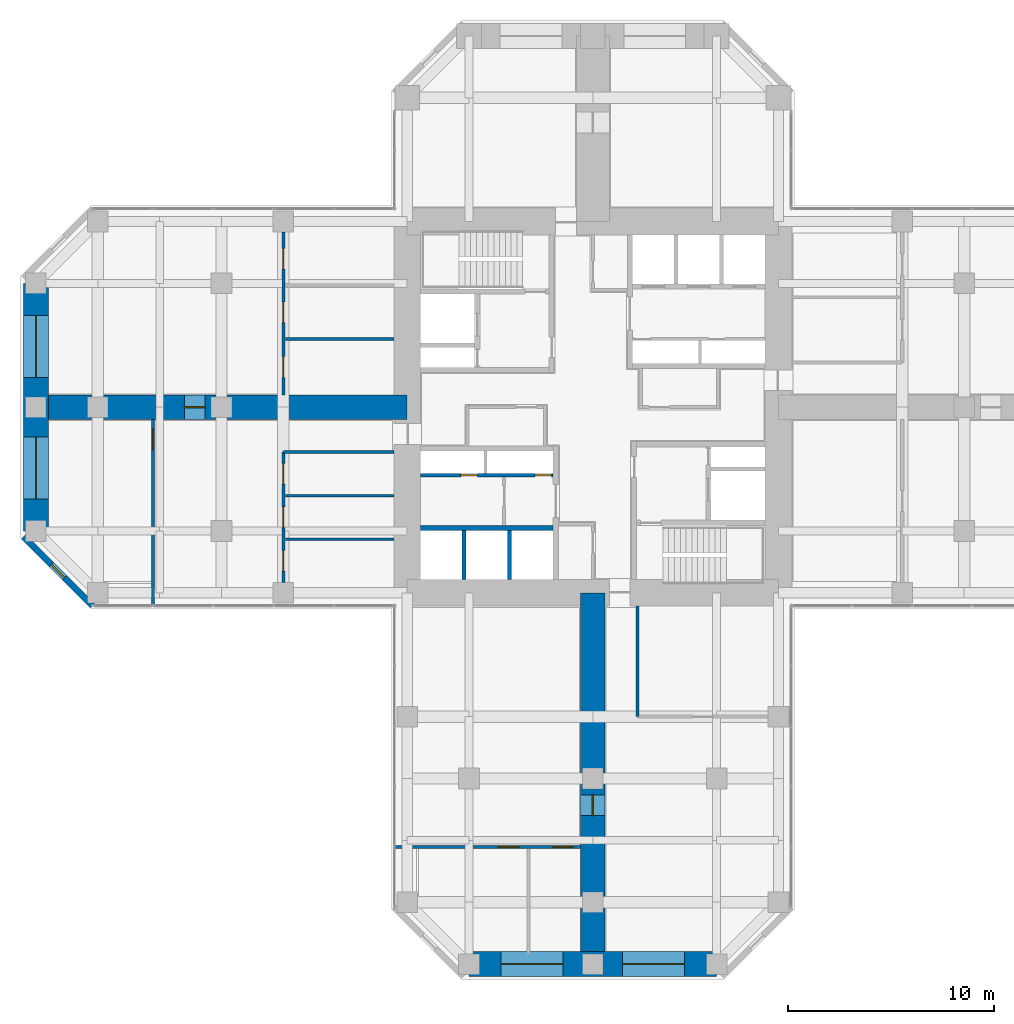
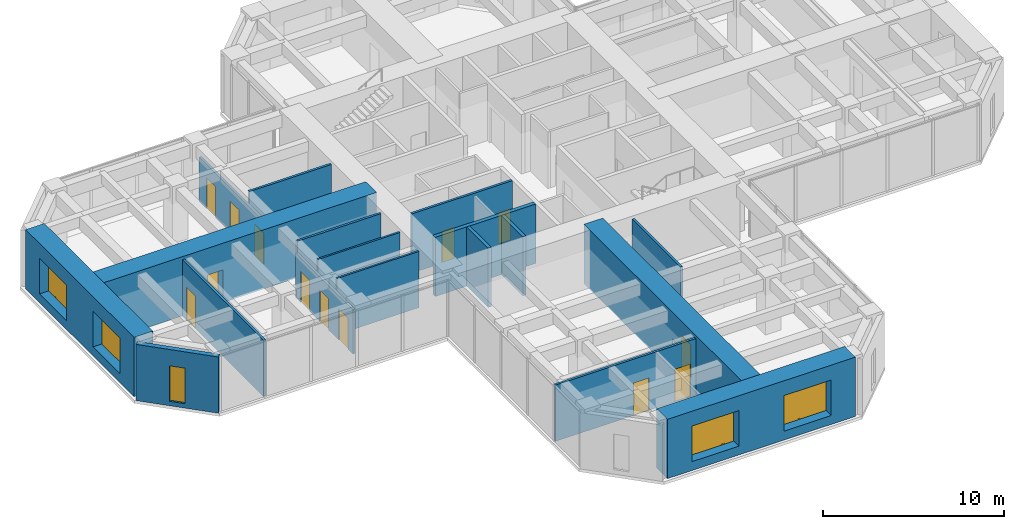
# One storey, part 8 of 12: 18 walls, 13 doors, 5 windows, 18 openings.
"""IFC4 building model written with IfcOpenShell, lengths in metres."""

import ifcopenshell
import ifcopenshell.guid

model = None  # the IFC model being written
_history = None  # IfcOwnerHistory: only IFC2X3 demands one
_inside = {}  # id of a spatial element -> (the spatial element, [elements in it])
_under = {}  # id of a project, library or spatial element -> (it, [spatial elements below it])
_declared = {}  # id of a project -> (the project, [libraries it declares])
_typed = {}  # id of a type object -> (the type object, [elements of that type])
_made_of = {}  # id of a material, layer set ... -> (it, [elements and type objects made of it])


def new_model(schema):
    """Start an empty IFC model of exactly this schema.

    Asked for "IFC4X3", IfcOpenShell would pick the latest addendum, in which some entities
    have other attributes; the version numbers below select the first issue.
    IFC2X3 requires an IfcOwnerHistory on every rooted entity: one is made here for all.
    """
    global model, _history
    if schema == "IFC4X3":
        model = ifcopenshell.file(schema_version=(4, 3, 0, 0))
    else:
        model = ifcopenshell.file(schema=schema)
    _inside.clear()
    _under.clear()
    _declared.clear()
    _typed.clear()
    _made_of.clear()
    _history = None
    if model.schema == "IFC2X3":
        org = make("IfcOrganization", Name="unknown")
        user = make(
            "IfcPersonAndOrganization",
            ThePerson=make("IfcPerson", FamilyName="unknown"),
            TheOrganization=org,
        )
        app = make(
            "IfcApplication",
            ApplicationDeveloper=org,
            Version="unknown",
            ApplicationFullName="unknown",
            ApplicationIdentifier="unknown",
        )
        _history = make(
            "IfcOwnerHistory",
            OwningUser=user,
            OwningApplication=app,
            ChangeAction="ADDED",
            CreationDate=0,
        )
    return model


def make(cls, **values):
    """One entity of the class cls with the attributes given. An attribute that is None is left unset."""
    return model.create_entity(
        cls, **{name: value for name, value in values.items() if value is not None}
    )


def rooted(cls, **values):
    """An entity with a GlobalId (a new one), such as an element, a storey or a relation."""
    return make(cls, GlobalId=ifcopenshell.guid.new(), OwnerHistory=_history, **values)


def si_unit(unit_type, name, prefix=None):
    """IfcSIUnit, for example si_unit("LENGTHUNIT", "METRE", prefix="MILLI")."""
    return make("IfcSIUnit", UnitType=unit_type, Prefix=prefix, Name=name)


def assignment(units):
    """IfcUnitAssignment: the units of a project."""
    return None if units is None else make("IfcUnitAssignment", Units=units)


def point(xyz):
    """IfcCartesianPoint."""
    return None if xyz is None else make("IfcCartesianPoint", Coordinates=xyz)


def direction(xyz):
    """IfcDirection."""
    return None if xyz is None else make("IfcDirection", DirectionRatios=xyz)


def frame(location, z_axis=None, x_axis=None):
    """IfcAxis2Placement3D, a coordinate frame: its origin and axes. An axis left out is left unset."""
    return make(
        "IfcAxis2Placement3D",
        Location=point(location),
        Axis=direction(z_axis),
        RefDirection=direction(x_axis),
    )


def frame_2d(location, x_axis=None):
    """IfcAxis2Placement2D, a coordinate frame in the plane: its origin and x axis."""
    return make(
        "IfcAxis2Placement2D", Location=point(location), RefDirection=direction(x_axis)
    )


def origin():
    """The frame at (0, 0, 0) with its axes left unset."""
    return frame((0.0, 0.0, 0.0))


def place(relative_to, where):
    """IfcLocalPlacement: puts the frame where relative to a parent placement (None: the world)."""
    return make(
        "IfcLocalPlacement", PlacementRelTo=relative_to, RelativePlacement=where
    )


def context(
    kind, dimensions, precision=None, world=None, true_north=None, identifier=None
):
    """IfcGeometricRepresentationContext, for example the 3D "Model" context."""
    return make(
        "IfcGeometricRepresentationContext",
        ContextIdentifier=identifier,
        ContextType=kind,
        CoordinateSpaceDimension=dimensions,
        Precision=precision,
        WorldCoordinateSystem=world,
        TrueNorth=true_north,
    )


def subcontext(parent, identifier, kind, view, scale=None):
    """IfcGeometricRepresentationSubContext, for example "Body" below "Model"."""
    return make(
        "IfcGeometricRepresentationSubContext",
        ContextIdentifier=identifier,
        ContextType=kind,
        ParentContext=parent,
        TargetScale=scale,
        TargetView=view,
    )


def project(units=None, contexts=None):
    """IfcProject with its units and contexts."""
    return rooted(
        "IfcProject",
        Name="project",
        RepresentationContexts=contexts,
        UnitsInContext=assignment(units),
    )


def spatial(cls, under=None, at=None, **own):
    """A site, building, storey or space (cls), placed at a placement, below another one or the project."""
    s = rooted(cls, ObjectPlacement=at, **own)
    if under is not None:
        _under.setdefault(under.id(), (under, []))[1].append(s)
    return s


def profile(cls, at=None, kind="AREA", **sizes):
    """A parametric profile (cls). Its sizes go by their IFC names, for example OverallWidth=200.0."""
    return make(cls, ProfileType=kind, Position=at, **sizes)


def rectangle(**sizes):
    """IfcRectangleProfileDef."""
    return profile("IfcRectangleProfileDef", **sizes)


def hollow_rectangle(**sizes):
    """IfcRectangleHollowProfileDef."""
    return profile("IfcRectangleHollowProfileDef", **sizes)


def extrude(swept, where, along, depth):
    """IfcExtrudedAreaSolid: the profile swept, set in the frame where, extruded along a direction by depth."""
    return make(
        "IfcExtrudedAreaSolid",
        SweptArea=swept,
        Position=where,
        ExtrudedDirection=direction(along),
        Depth=depth,
    )


def shape(context_of_items, identifier, shape_type, items):
    """IfcShapeRepresentation: the items that make up one representation, for example the "Body"."""
    return make(
        "IfcShapeRepresentation",
        ContextOfItems=context_of_items,
        RepresentationIdentifier=identifier,
        RepresentationType=shape_type,
        Items=items,
    )


def material(Name=None, Category=None):
    """IfcMaterial."""
    return make("IfcMaterial", Name=Name, Category=Category)


def layer(
    of_material, thickness, ventilated=None, Name=None, Category=None, Priority=None
):
    """IfcMaterialLayer: one layer of a wall or slab, of a material (None: an air gap)."""
    return make(
        "IfcMaterialLayer",
        Material=of_material,
        LayerThickness=thickness,
        IsVentilated=ventilated,
        Name=Name,
        Category=Category,
        Priority=Priority,
    )


def layer_set(layers, Name=None):
    """IfcMaterialLayerSet."""
    return make("IfcMaterialLayerSet", MaterialLayers=layers, LayerSetName=Name)


def constituent(of_material, Name=None, Category=None, fraction=None):
    """IfcMaterialConstituent: one of the materials an element consists of."""
    return make(
        "IfcMaterialConstituent",
        Name=Name,
        Material=of_material,
        Fraction=fraction,
        Category=Category,
    )


def constituent_set(constituents=None, Name=None):
    """IfcMaterialConstituentSet."""
    return make(
        "IfcMaterialConstituentSet", Name=Name, MaterialConstituents=constituents
    )


def made_of(thing, what):
    """Note that an element or type object is made of a material, layer set ...; save() writes the relation."""
    if what is not None:
        _made_of.setdefault(what.id(), (what, []))[1].append(thing)
    return thing


def type_object(cls, material=None, **own):
    """A type object (cls), such as IfcWallType, which elements share."""
    return made_of(rooted(cls, **own), material)


def element(
    cls,
    number,
    at=None,
    inside=None,
    cuts=None,
    type_object=None,
    material=None,
    context=None,
    identifier="Body",
    shape_type=None,
    held_by="IfcProductDefinitionShape",
    body=None,
    shapes=None,
    **own,
):
    """One element of the class cls, such as IfcWall. Its Tag is "e" and its number.

    at: its placement. inside: the storey or other place that contains it. cuts: it is an
    opening in that element (IfcRelVoidsElement). A single representation is given by context,
    identifier, shape_type and body (its items); several are given by shapes. held_by: the class
    of the entity that holds the representations. save() writes the other relations.
    """
    e = rooted(cls, Tag="e%d" % number, ObjectPlacement=at, **own)
    if body is not None:
        shapes = [shape(context, identifier, shape_type, body)]
    if shapes is not None:
        e.Representation = make(held_by, Representations=shapes)
    if inside is not None:
        _inside.setdefault(inside.id(), (inside, []))[1].append(e)
    if cuts is not None:
        rooted(
            "IfcRelVoidsElement", RelatingBuildingElement=cuts, RelatedOpeningElement=e
        )
    if type_object is not None:
        _typed.setdefault(type_object.id(), (type_object, []))[1].append(e)
    return made_of(e, material)


def fill(opening, filler):
    """IfcRelFillsElement: the door or window that sits in an opening."""
    return rooted(
        "IfcRelFillsElement",
        RelatingOpeningElement=opening,
        RelatedBuildingElement=filler,
    )


def aggregate(whole, parts):
    """IfcRelAggregates: a whole, such as a stair, and the parts it consists of."""
    return rooted("IfcRelAggregates", RelatingObject=whole, RelatedObjects=parts)


def save(model, path):
    """Write the relations noted so far, then the file.

    IfcRelAggregates (storeys below a building ...), IfcRelContainedInSpatialStructure (elements
    in a storey), IfcRelDefinesByType, IfcRelAssociatesMaterial and IfcRelDeclares: one each for
    every whole, place, type object, material and project.
    """
    for whole, parts in _under.values():
        aggregate(whole, parts)
    for where, things in _inside.values():
        rooted(
            "IfcRelContainedInSpatialStructure",
            RelatedElements=things,
            RelatingStructure=where,
        )
    for kind, things in _typed.values():
        rooted("IfcRelDefinesByType", RelatedObjects=things, RelatingType=kind)
    for what, things in _made_of.values():
        rooted("IfcRelAssociatesMaterial", RelatedObjects=things, RelatingMaterial=what)
    for by, libraries in _declared.values():
        rooted("IfcRelDeclares", RelatingContext=by, RelatedDefinitions=libraries)
    model.write(path)


model = new_model("IFC4")

# Units and contexts
model_context = context("Model", 3, precision=1e-05, world=origin(), true_north=direction((0.0, 1.0)))
body_context = subcontext(model_context, "Body", "Model", "MODEL_VIEW")
ifc_project = project(units=[si_unit("LENGTHUNIT", "METRE"), si_unit("AREAUNIT", "SQUARE_METRE"), si_unit("VOLUMEUNIT", "CUBIC_METRE"), si_unit("PLANEANGLEUNIT", "RADIAN"), si_unit("MASSUNIT", "GRAM", prefix="KILO")], contexts=[model_context])

# Site, building, storey
site_placement = place(None, origin())
site = spatial("IfcSite", under=ifc_project, at=site_placement, CompositionType="ELEMENT")
building_placement = place(site_placement, origin())
building = spatial("IfcBuilding", under=site, at=building_placement, Name="Torre Cruceta", CompositionType="ELEMENT")
storey_placement = place(building_placement, frame((0.0, 0.0, 108.5)))
storey = spatial("IfcBuildingStorey", under=building, at=storey_placement, Name="L26", CompositionType="ELEMENT", Elevation=108.5)

# Wall
ifc_material_1 = material(Name="Concrete G60 (fck 60 MPa)", Category="concrete")
ifc_layer_1 = layer(ifc_material_1, 0.25)
ifc_layer_set_1 = layer_set([ifc_layer_1], Name="Concrete G60 (fck 60 MPa)")
wall_type_1 = type_object("IfcWallType", Name="CORE INNER WALL 250 G60", PredefinedType="SHEAR", material=ifc_layer_set_1)
wall_1_placement = place(storey_placement, frame((-1.925048828125, -5.85009765625, 0.0), z_axis=(0.0, 0.0, 1.0), x_axis=(-1.0, 0.0, 0.0)))
element("IfcWall", 1, at=wall_1_placement, inside=storey, type_object=wall_type_1, Name="CW4 L26 SW-LV", PredefinedType="SHEAR", context=body_context, shape_type="SweptSolid", body=[
    extrude(rectangle(XDim=6.425048828125, YDim=0.25, at=frame_2d((3.21240234375, 0.0))), origin(), (0.0, 0.0, 1.0), 4.0),
])

# Wall, opening, window
ifc_material_2 = material(Name="Concrete G30 (fck 30 MPa)", Category="concrete")
ifc_layer_2 = layer(ifc_material_2, 0.300048828125)
ifc_layer_set_2 = layer_set([ifc_layer_2], Name="Concrete G30 (fck 30 MPa)")
wall_type_2 = type_object("IfcWallType", Name="EXPOSED CONCRETE FACADE WALL 300", PredefinedType="SOLIDWALL", material=ifc_layer_set_2)
wall_2_placement = place(storey_placement, frame((-27.60009765625, -6.27685546875, 0.0), z_axis=(0.0, 0.0, 1.0), x_axis=(0.707106781187, -0.707106781187, 0.0)))
wall_2 = element("IfcWall", 2, at=wall_2_placement, inside=storey, type_object=wall_type_2, Name="EW1 facade wall L26 W chamfer 13", PredefinedType="SOLIDWALL", context=body_context, shape_type="SweptSolid", body=[
    extrude(rectangle(XDim=4.72802734375, YDim=0.300048828125, at=frame_2d((2.364013671875, 0.0))), origin(), (0.0, 0.0, 1.0), 3.800048828125),
])
opening_1_placement = place(wall_2_placement, frame((1.9140625, 0.0, 0.300048828125)))
opening_1 = element("IfcOpeningElement", 3, at=opening_1_placement, cuts=wall_2, Name="Opening WN5", PredefinedType="OPENING", context=body_context, shape_type="SweptSolid", body=[
    extrude(rectangle(XDim=0.89990234375, YDim=2.39990234375, at=frame_2d((0.449951171875, 1.199951171875))), frame((0.0, 0.159912109375, 0.0), z_axis=(0.0, -1.0, 0.0), x_axis=(1.0, 0.0, 0.0)), (0.0, 0.0, 1.0), 0.320068359375),
])
ifc_material_3 = material(Name="Aluminium window frame", Category="aluminium")
ifc_constituent_1 = constituent(ifc_material_3, Name="Frame")
ifc_material_4 = material(Name="Laminated insulating glass unit, low-iron clear", Category="glass")
ifc_constituent_2 = constituent(ifc_material_4, Name="Glazing")
ifc_constituent_set_1 = constituent_set(constituents=[ifc_constituent_1, ifc_constituent_2], Name="Aluminium window")
window_type_1 = type_object("IfcWindowType", Name="CHAMFER SLOT WINDOW 900X2400", PartitioningType="SINGLE_PANEL", PredefinedType="WINDOW", material=ifc_constituent_set_1)
window_1_placement = place(opening_1_placement, origin())
window_1 = element("IfcWindow", 4, at=window_1_placement, inside=storey, type_object=window_type_1, Name="WN5 L26 W 1", OverallHeight=2.39990234375, OverallWidth=0.89990234375, PartitioningType="SINGLE_PANEL", PredefinedType="WINDOW", context=body_context, shape_type="SweptSolid", body=[
    extrude(hollow_rectangle(XDim=0.89990234375, YDim=2.39990234375, WallThickness=0.06005859375, at=frame_2d((0.449951171875, 1.199951171875))), frame((0.0, 0.030029296875, 0.0), z_axis=(0.0, -1.0, 0.0), x_axis=(1.0, 0.0, 0.0)), (0.0, 0.0, 1.0), 0.06005859375),
    extrude(rectangle(XDim=0.77880859375, YDim=2.27880859375, at=frame_2d((0.449951171875, 1.199951171875))), frame((0.0, 0.030029296875, 0.0), z_axis=(0.0, -1.0, 0.0), x_axis=(1.0, 0.0, 0.0)), (0.0, 0.0, 1.0), 0.06005859375),
])
fill(opening_1, window_1)

# Walls
ifc_material_5 = material(Name="Concrete G35 (fck 35 MPa)", Category="concrete")
ifc_layer_3 = layer(ifc_material_5, 0.199951171875)
ifc_layer_set_3 = layer_set([ifc_layer_3], Name="Concrete G35 (fck 35 MPa)")
wall_type_3 = type_object("IfcWallType", Name="LIFT SHAFT WALL 200", PredefinedType="PARTITIONING", material=ifc_layer_set_3)
for number, where, z_axis, x_axis, name in (
    (5, (-4.033447265625, -5.97509765625, 0.0), (0.0, 0.0, 1.0), (0.0, -1.0, 0.0), "SW1 L26 SW-LS1"),
    (6, (-6.24169921875, -5.97509765625, 0.0), (0.0, 0.0, 1.0), (0.0, -1.0, 0.0), "SW1 L26 SW-LS2"),
):
    element("IfcWall", number, at=place(storey_placement, frame(where, z_axis=z_axis, x_axis=x_axis)), inside=storey, type_object=wall_type_3, Name=name, PredefinedType="PARTITIONING", context=body_context, shape_type="SweptSolid", body=[
        extrude(rectangle(XDim=2.375, YDim=0.199951171875, at=frame_2d((1.1875, 0.0))), origin(), (0.0, 0.0, 1.0), 4.0),
    ])

# Wall, openings, windows
ifc_material_6 = material(Name="Concrete G60 (fck 60 MPa)", Category="concrete")
ifc_layer_4 = layer(ifc_material_6, 1.199951171875)
ifc_layer_set_4 = layer_set([ifc_layer_4], Name="Concrete G60 (fck 60 MPa)")
wall_type_4 = type_object("IfcWallType", Name="NOSE WALL 1200 G60", PredefinedType="SHEAR", material=ifc_layer_set_4)
wall_3_placement = place(storey_placement, frame((-6.0, -27.0, 0.0), z_axis=(0.0, 0.0, 1.0), x_axis=(1.0, 0.0, 0.0)))
wall_3 = element("IfcWall", 7, at=wall_3_placement, inside=storey, type_object=wall_type_4, Name="NW1 nose wall L26 S", PredefinedType="SHEAR", context=body_context, shape_type="SweptSolid", body=[
    extrude(rectangle(XDim=12.0, YDim=1.199951171875, at=frame_2d((6.0, 0.0))), origin(), (0.0, 0.0, 1.0), 4.0),
])
opening_2_placement = place(wall_3_placement, frame((1.550048828125, 0.0, 0.60009765625)))
opening_2 = element("IfcOpeningElement", 8, at=opening_2_placement, cuts=wall_3, Name="Opening WN6", PredefinedType="OPENING", context=body_context, shape_type="SweptSolid", body=[
    extrude(rectangle(XDim=3.0, YDim=2.39990234375, at=frame_2d((1.5, 1.199951171875))), frame((0.0, 0.60986328125, 0.0), z_axis=(0.0, -1.0, 0.0), x_axis=(1.0, 0.0, 0.0)), (0.0, 0.0, 1.0), 1.219970703125),
])
opening_3_placement = place(wall_3_placement, frame((7.449951171875, 0.0, 0.60009765625)))
opening_3 = element("IfcOpeningElement", 9, at=opening_3_placement, cuts=wall_3, Name="Opening WN6", PredefinedType="OPENING", context=body_context, shape_type="SweptSolid", body=[
    extrude(rectangle(XDim=3.0, YDim=2.39990234375, at=frame_2d((1.5, 1.199951171875))), frame((0.0, 0.60986328125, 0.0), z_axis=(0.0, -1.0, 0.0), x_axis=(1.0, 0.0, 0.0)), (0.0, 0.0, 1.0), 1.219970703125),
])
ifc_material_7 = material(Name="Aluminium window frame", Category="aluminium")
ifc_constituent_3 = constituent(ifc_material_7, Name="Frame")
ifc_material_8 = material(Name="Laminated insulating glass unit, low-iron clear", Category="glass")
ifc_constituent_4 = constituent(ifc_material_8, Name="Glazing")
ifc_constituent_set_2 = constituent_set(constituents=[ifc_constituent_3, ifc_constituent_4], Name="Aluminium window")
window_type_2 = type_object("IfcWindowType", Name="NOSE WALL WINDOW 3000X2400", PartitioningType="SINGLE_PANEL", PredefinedType="WINDOW", material=ifc_constituent_set_2)
window_2_placement = place(opening_2_placement, origin())
window_2 = element("IfcWindow", 10, at=window_2_placement, inside=storey, type_object=window_type_2, Name="WN6 L26 S 1", OverallHeight=2.39990234375, OverallWidth=3.0, PartitioningType="SINGLE_PANEL", PredefinedType="WINDOW", context=body_context, shape_type="SweptSolid", body=[
    extrude(hollow_rectangle(XDim=3.0, YDim=2.39990234375, WallThickness=0.06005859375, at=frame_2d((1.5, 1.199951171875))), frame((0.0, 0.030029296875, 0.0), z_axis=(0.0, -1.0, 0.0), x_axis=(1.0, 0.0, 0.0)), (0.0, 0.0, 1.0), 0.06005859375),
    extrude(rectangle(XDim=2.87890625, YDim=2.27880859375, at=frame_2d((1.5, 1.199951171875))), frame((0.0, 0.030029296875, 0.0), z_axis=(0.0, -1.0, 0.0), x_axis=(1.0, 0.0, 0.0)), (0.0, 0.0, 1.0), 0.06005859375),
])
fill(opening_2, window_2)
window_3_placement = place(opening_3_placement, origin())
window_3 = element("IfcWindow", 11, at=window_3_placement, inside=storey, type_object=window_type_2, Name="WN6 L26 S 2", OverallHeight=2.39990234375, OverallWidth=3.0, PartitioningType="SINGLE_PANEL", PredefinedType="WINDOW", context=body_context, shape_type="SweptSolid", body=[
    extrude(hollow_rectangle(XDim=3.0, YDim=2.39990234375, WallThickness=0.06005859375, at=frame_2d((1.5, 1.199951171875))), frame((0.0, 0.030029296875, 0.0), z_axis=(0.0, -1.0, 0.0), x_axis=(1.0, 0.0, 0.0)), (0.0, 0.0, 1.0), 0.06005859375),
    extrude(rectangle(XDim=2.87890625, YDim=2.27880859375, at=frame_2d((1.5, 1.199951171875))), frame((0.0, 0.030029296875, 0.0), z_axis=(0.0, -1.0, 0.0), x_axis=(1.0, 0.0, 0.0)), (0.0, 0.0, 1.0), 0.06005859375),
])
fill(opening_3, window_3)

wall_4_placement = place(storey_placement, frame((-27.0, 6.0, 0.0), z_axis=(0.0, 0.0, 1.0), x_axis=(0.0, -1.0, 0.0)))
wall_4 = element("IfcWall", 12, at=wall_4_placement, inside=storey, type_object=wall_type_4, Name="NW1 nose wall L26 W", PredefinedType="SHEAR", context=body_context, shape_type="SweptSolid", body=[
    extrude(rectangle(XDim=12.0, YDim=1.199951171875, at=frame_2d((6.0, 0.0))), origin(), (0.0, 0.0, 1.0), 4.0),
])
opening_4_placement = place(wall_4_placement, frame((1.550048828125, 0.0, 0.60009765625)))
opening_4 = element("IfcOpeningElement", 13, at=opening_4_placement, cuts=wall_4, Name="Opening WN6", PredefinedType="OPENING", context=body_context, shape_type="SweptSolid", body=[
    extrude(rectangle(XDim=3.0, YDim=2.39990234375, at=frame_2d((1.5, 1.199951171875))), frame((0.0, 0.60986328125, 0.0), z_axis=(0.0, -1.0, 0.0), x_axis=(1.0, 0.0, 0.0)), (0.0, 0.0, 1.0), 1.219970703125),
])
opening_5_placement = place(wall_4_placement, frame((7.449951171875, 0.0, 0.60009765625)))
opening_5 = element("IfcOpeningElement", 14, at=opening_5_placement, cuts=wall_4, Name="Opening WN6", PredefinedType="OPENING", context=body_context, shape_type="SweptSolid", body=[
    extrude(rectangle(XDim=3.0, YDim=2.39990234375, at=frame_2d((1.5, 1.199951171875))), frame((0.0, 0.60986328125, 0.0), z_axis=(0.0, -1.0, 0.0), x_axis=(1.0, 0.0, 0.0)), (0.0, 0.0, 1.0), 1.219970703125),
])
window_4_placement = place(opening_4_placement, origin())
window_4 = element("IfcWindow", 15, at=window_4_placement, inside=storey, type_object=window_type_2, Name="WN6 L26 W 1", OverallHeight=2.39990234375, OverallWidth=3.0, PartitioningType="SINGLE_PANEL", PredefinedType="WINDOW", context=body_context, shape_type="SweptSolid", body=[
    extrude(hollow_rectangle(XDim=3.0, YDim=2.39990234375, WallThickness=0.06005859375, at=frame_2d((1.5, 1.199951171875))), frame((0.0, 0.030029296875, 0.0), z_axis=(0.0, -1.0, 0.0), x_axis=(1.0, 0.0, 0.0)), (0.0, 0.0, 1.0), 0.06005859375),
    extrude(rectangle(XDim=2.87890625, YDim=2.27880859375, at=frame_2d((1.5, 1.199951171875))), frame((0.0, 0.030029296875, 0.0), z_axis=(0.0, -1.0, 0.0), x_axis=(1.0, 0.0, 0.0)), (0.0, 0.0, 1.0), 0.06005859375),
])
fill(opening_4, window_4)
window_5_placement = place(opening_5_placement, origin())
window_5 = element("IfcWindow", 16, at=window_5_placement, inside=storey, type_object=window_type_2, Name="WN6 L26 W 2", OverallHeight=2.39990234375, OverallWidth=3.0, PartitioningType="SINGLE_PANEL", PredefinedType="WINDOW", context=body_context, shape_type="SweptSolid", body=[
    extrude(hollow_rectangle(XDim=3.0, YDim=2.39990234375, WallThickness=0.06005859375, at=frame_2d((1.5, 1.199951171875))), frame((0.0, 0.030029296875, 0.0), z_axis=(0.0, -1.0, 0.0), x_axis=(1.0, 0.0, 0.0)), (0.0, 0.0, 1.0), 0.06005859375),
    extrude(rectangle(XDim=2.87890625, YDim=2.27880859375, at=frame_2d((1.5, 1.199951171875))), frame((0.0, 0.030029296875, 0.0), z_axis=(0.0, -1.0, 0.0), x_axis=(1.0, 0.0, 0.0)), (0.0, 0.0, 1.0), 0.06005859375),
])
fill(opening_5, window_5)

# Wall
ifc_material_9 = material(Name="Plasterboard on steel studs", Category="steel")
ifc_layer_5 = layer(ifc_material_9, 0.14990234375)
ifc_layer_set_5 = layer_set([ifc_layer_5], Name="Plasterboard on steel studs")
wall_type_5 = type_object("IfcWallType", Name="PARTITION 150", PredefinedType="PARTITIONING", material=ifc_layer_set_5)
wall_5_placement = place(storey_placement, frame((2.175048828125, -9.64990234375, 0.0), z_axis=(0.0, 0.0, 1.0), x_axis=(0.0, -1.0, 0.0)))
element("IfcWall", 17, at=wall_5_placement, inside=storey, type_object=wall_type_5, Name="PT1 L26-S-BSL", PredefinedType="PARTITIONING", context=body_context, shape_type="SweptSolid", body=[
    extrude(rectangle(XDim=5.35009765625, YDim=0.14990234375, at=frame_2d((2.675048828125, 0.0))), origin(), (0.0, 0.0, 1.0), 3.800048828125),
])

# Wall, openings, doors
wall_6_placement = place(storey_placement, frame((-9.580078125, -21.320068359375, 0.0), z_axis=(0.0, 0.0, 1.0), x_axis=(1.0, 0.0, 0.0)))
wall_6 = element("IfcWall", 18, at=wall_6_placement, inside=storey, type_object=wall_type_5, Name="PT1 L26-S-TWR", PredefinedType="PARTITIONING", context=body_context, shape_type="SweptSolid", body=[
    extrude(rectangle(XDim=8.97998046875, YDim=0.14990234375, at=frame_2d((4.489990234375, 0.0))), origin(), (0.0, 0.0, 1.0), 3.800048828125),
])
opening_6_placement = place(wall_6_placement, frame((4.987060546875, 0.0, 0.0)))
opening_6 = element("IfcOpeningElement", 19, at=opening_6_placement, cuts=wall_6, Name="Opening D14", PredefinedType="OPENING", context=body_context, shape_type="SweptSolid", body=[
    extrude(rectangle(XDim=1.0, YDim=2.199951171875, at=frame_2d((0.5, 1.10009765625))), frame((0.0, 0.0849609375, 0.0), z_axis=(0.0, -1.0, 0.0), x_axis=(1.0, 0.0, 0.0)), (0.0, 0.0, 1.0), 0.169921875),
])
opening_7_placement = place(wall_6_placement, frame((7.6298828125, 0.0, 0.0)))
opening_7 = element("IfcOpeningElement", 20, at=opening_7_placement, cuts=wall_6, Name="Opening D14", PredefinedType="OPENING", context=body_context, shape_type="SweptSolid", body=[
    extrude(rectangle(XDim=1.0, YDim=2.199951171875, at=frame_2d((0.5, 1.10009765625))), frame((0.0, 0.0849609375, 0.0), z_axis=(0.0, -1.0, 0.0), x_axis=(1.0, 0.0, 0.0)), (0.0, 0.0, 1.0), 0.169921875),
])
ifc_material_10 = material(Name="Steel DX51D", Category="steel")
ifc_constituent_5 = constituent(ifc_material_10, Name="Leaf and frame")
ifc_material_11 = material(Name="Polyester powder coating", Category="paint")
ifc_constituent_6 = constituent(ifc_material_11, Name="Finish")
ifc_material_12 = material(Name="Fire-resisting glass", Category="glass")
ifc_constituent_7 = constituent(ifc_material_12, Name="Vision panel")
ifc_constituent_set_3 = constituent_set(constituents=[ifc_constituent_5, ifc_constituent_6, ifc_constituent_7], Name="Steel fire door with vision panel")
door_type_1 = type_object("IfcDoorType", Name="FIRE DOOR VISION PANEL 1000X2200", OperationType="SINGLE_SWING_RIGHT", PredefinedType="DOOR", material=ifc_constituent_set_3)
door_1_placement = place(opening_6_placement, frame((1.0, 0.0, 0.0), z_axis=(0.0, 0.0, 1.0), x_axis=(-1.0, 0.0, 0.0)))
door_1 = element("IfcDoor", 21, at=door_1_placement, inside=storey, type_object=door_type_1, Name="D14 L26-S-TWR-D1", OperationType="SINGLE_SWING_LEFT", OverallHeight=2.199951171875, OverallWidth=1.0, PredefinedType="DOOR", context=body_context, shape_type="SweptSolid", body=[
    extrude(rectangle(XDim=1.0, YDim=2.199951171875, at=frame_2d((0.5, 1.10009765625))), frame((0.0, 0.025146484375, 0.0), z_axis=(0.0, -1.0, 0.0), x_axis=(1.0, 0.0, 0.0)), (0.0, 0.0, 1.0), 0.050048828125),
])
fill(opening_6, door_1)
door_2_placement = place(opening_7_placement, frame((1.0, 0.0, 0.0), z_axis=(0.0, 0.0, 1.0), x_axis=(-1.0, 0.0, 0.0)))
door_2 = element("IfcDoor", 22, at=door_2_placement, inside=storey, type_object=door_type_1, Name="D14 L26-S-TWR-D2", OperationType="SINGLE_SWING_LEFT", OverallHeight=2.199951171875, OverallWidth=1.0, PredefinedType="DOOR", context=body_context, shape_type="SweptSolid", body=[
    extrude(rectangle(XDim=1.0, YDim=2.199951171875, at=frame_2d((0.5, 1.10009765625))), frame((0.0, 0.025146484375, 0.0), z_axis=(0.0, -1.0, 0.0), x_axis=(1.0, 0.0, 0.0)), (0.0, 0.0, 1.0), 0.050048828125),
])
fill(opening_7, door_2)

wall_7_placement = place(storey_placement, frame((-15.0, -2.175048828125, 0.0), z_axis=(0.0, 0.0, 1.0), x_axis=(0.0, -1.0, 0.0)))
wall_7 = element("IfcWall", 23, at=wall_7_placement, inside=storey, type_object=wall_type_5, Name="PT1 L26-W-BFL", PredefinedType="PARTITIONING", context=body_context, shape_type="SweptSolid", body=[
    extrude(rectangle(XDim=6.324951171875, YDim=0.14990234375, at=frame_2d((3.16259765625, 0.0))), origin(), (0.0, 0.0, 1.0), 3.0),
])
opening_8_placement = place(wall_7_placement, frame((0.55419921875, 0.0, 0.0)))
opening_8 = element("IfcOpeningElement", 24, at=opening_8_placement, cuts=wall_7, Name="Opening D3", PredefinedType="OPENING", context=body_context, shape_type="SweptSolid", body=[
    extrude(rectangle(XDim=1.0, YDim=2.10009765625, at=frame_2d((0.5, 1.050048828125))), frame((0.0, 0.0849609375, 0.0), z_axis=(0.0, -1.0, 0.0), x_axis=(1.0, 0.0, 0.0)), (0.0, 0.0, 1.0), 0.169921875),
])
opening_9_placement = place(wall_7_placement, frame((2.66259765625, 0.0, 0.0)))
opening_9 = element("IfcOpeningElement", 25, at=opening_9_placement, cuts=wall_7, Name="Opening D3", PredefinedType="OPENING", context=body_context, shape_type="SweptSolid", body=[
    extrude(rectangle(XDim=1.0, YDim=2.10009765625, at=frame_2d((0.5, 1.050048828125))), frame((0.0, 0.0849609375, 0.0), z_axis=(0.0, -1.0, 0.0), x_axis=(1.0, 0.0, 0.0)), (0.0, 0.0, 1.0), 0.169921875),
])
opening_10_placement = place(wall_7_placement, frame((4.770751953125, 0.0, 0.0)))
opening_10 = element("IfcOpeningElement", 26, at=opening_10_placement, cuts=wall_7, Name="Opening D3", PredefinedType="OPENING", context=body_context, shape_type="SweptSolid", body=[
    extrude(rectangle(XDim=1.0, YDim=2.10009765625, at=frame_2d((0.5, 1.050048828125))), frame((0.0, 0.0849609375, 0.0), z_axis=(0.0, -1.0, 0.0), x_axis=(1.0, 0.0, 0.0)), (0.0, 0.0, 1.0), 0.169921875),
])
ifc_material_13 = material(Name="Steel DX51D", Category="steel")
ifc_constituent_8 = constituent(ifc_material_13, Name="Leaf and frame")
ifc_material_14 = material(Name="Polyester powder coating", Category="paint")
ifc_constituent_9 = constituent(ifc_material_14, Name="Finish")
ifc_constituent_set_4 = constituent_set(constituents=[ifc_constituent_8, ifc_constituent_9], Name="Steel fire door")
door_type_2 = type_object("IfcDoorType", Name="FIRE DOOR 1000X2100", OperationType="SINGLE_SWING_LEFT", PredefinedType="DOOR", material=ifc_constituent_set_4)
door_3_placement = place(opening_8_placement, origin())
door_3 = element("IfcDoor", 27, at=door_3_placement, inside=storey, type_object=door_type_2, Name="D3 L26-W-BFL-D1", OperationType="SINGLE_SWING_LEFT", OverallHeight=2.10009765625, OverallWidth=1.0, PredefinedType="DOOR", context=body_context, shape_type="SweptSolid", body=[
    extrude(rectangle(XDim=1.0, YDim=2.10009765625, at=frame_2d((0.5, 1.050048828125))), frame((0.0, 0.02490234375, 0.0), z_axis=(0.0, -1.0, 0.0), x_axis=(1.0, 0.0, 0.0)), (0.0, 0.0, 1.0), 0.050048828125),
])
fill(opening_8, door_3)
door_4_placement = place(opening_9_placement, origin())
door_4 = element("IfcDoor", 28, at=door_4_placement, inside=storey, type_object=door_type_2, Name="D3 L26-W-BFL-D2", OperationType="SINGLE_SWING_LEFT", OverallHeight=2.10009765625, OverallWidth=1.0, PredefinedType="DOOR", context=body_context, shape_type="SweptSolid", body=[
    extrude(rectangle(XDim=1.0, YDim=2.10009765625, at=frame_2d((0.5, 1.050048828125))), frame((0.0, 0.02490234375, 0.0), z_axis=(0.0, -1.0, 0.0), x_axis=(1.0, 0.0, 0.0)), (0.0, 0.0, 1.0), 0.050048828125),
])
fill(opening_9, door_4)
door_5_placement = place(opening_10_placement, origin())
door_5 = element("IfcDoor", 29, at=door_5_placement, inside=storey, type_object=door_type_2, Name="D3 L26-W-BFL-D3", OperationType="SINGLE_SWING_LEFT", OverallHeight=2.10009765625, OverallWidth=1.0, PredefinedType="DOOR", context=body_context, shape_type="SweptSolid", body=[
    extrude(rectangle(XDim=1.0, YDim=2.10009765625, at=frame_2d((0.5, 1.050048828125))), frame((0.0, 0.02490234375, 0.0), z_axis=(0.0, -1.0, 0.0), x_axis=(1.0, 0.0, 0.0)), (0.0, 0.0, 1.0), 0.050048828125),
])
fill(opening_10, door_5)

# Wall
wall_8_placement = place(storey_placement, frame((-9.64990234375, -2.175048828125, 0.0), z_axis=(0.0, 0.0, 1.0), x_axis=(-1.0, 0.0, 0.0)))
element("IfcWall", 30, at=wall_8_placement, inside=storey, type_object=wall_type_5, Name="PT1 L26-W-BSL", PredefinedType="PARTITIONING", context=body_context, shape_type="SweptSolid", body=[
    extrude(rectangle(XDim=5.35009765625, YDim=0.14990234375, at=frame_2d((2.675048828125, 0.0))), origin(), (0.0, 0.0, 1.0), 3.800048828125),
])

# Wall, openings, doors
wall_9_placement = place(storey_placement, frame((-15.0, 8.5, 0.0), z_axis=(0.0, 0.0, 1.0), x_axis=(0.0, -1.0, 0.0)))
wall_9 = element("IfcWall", 31, at=wall_9_placement, inside=storey, type_object=wall_type_5, Name="PT1 L26-W-BFR", PredefinedType="PARTITIONING", context=body_context, shape_type="SweptSolid", body=[
    extrude(rectangle(XDim=7.89990234375, YDim=0.14990234375, at=frame_2d((3.949951171875, 0.0))), origin(), (0.0, 0.0, 1.0), 3.0),
])
opening_11_placement = place(wall_9_placement, frame((0.800048828125, 0.0, 0.0)))
opening_11 = element("IfcOpeningElement", 32, at=opening_11_placement, cuts=wall_9, Name="Opening D3", PredefinedType="OPENING", context=body_context, shape_type="SweptSolid", body=[
    extrude(rectangle(XDim=1.0, YDim=2.10009765625, at=frame_2d((0.5, 1.050048828125))), frame((0.0, 0.0849609375, 0.0), z_axis=(0.0, -1.0, 0.0), x_axis=(1.0, 0.0, 0.0)), (0.0, 0.0, 1.0), 0.169921875),
])
opening_12_placement = place(wall_9_placement, frame((3.39990234375, 0.0, 0.0)))
opening_12 = element("IfcOpeningElement", 33, at=opening_12_placement, cuts=wall_9, Name="Opening D3", PredefinedType="OPENING", context=body_context, shape_type="SweptSolid", body=[
    extrude(rectangle(XDim=1.0, YDim=2.10009765625, at=frame_2d((0.5, 1.050048828125))), frame((0.0, 0.0849609375, 0.0), z_axis=(0.0, -1.0, 0.0), x_axis=(1.0, 0.0, 0.0)), (0.0, 0.0, 1.0), 0.169921875),
])
opening_13_placement = place(wall_9_placement, frame((6.050048828125, 0.0, 0.0)))
opening_13 = element("IfcOpeningElement", 34, at=opening_13_placement, cuts=wall_9, Name="Opening D3", PredefinedType="OPENING", context=body_context, shape_type="SweptSolid", body=[
    extrude(rectangle(XDim=1.0, YDim=2.10009765625, at=frame_2d((0.5, 1.050048828125))), frame((0.0, 0.0849609375, 0.0), z_axis=(0.0, -1.0, 0.0), x_axis=(1.0, 0.0, 0.0)), (0.0, 0.0, 1.0), 0.169921875),
])
door_6_placement = place(opening_11_placement, origin())
door_6 = element("IfcDoor", 35, at=door_6_placement, inside=storey, type_object=door_type_2, Name="D3 L26-W-BFR-D1", OperationType="SINGLE_SWING_RIGHT", OverallHeight=2.10009765625, OverallWidth=1.0, PredefinedType="DOOR", context=body_context, shape_type="SweptSolid", body=[
    extrude(rectangle(XDim=1.0, YDim=2.10009765625, at=frame_2d((0.5, 1.050048828125))), frame((0.0, 0.02490234375, 0.0), z_axis=(0.0, -1.0, 0.0), x_axis=(1.0, 0.0, 0.0)), (0.0, 0.0, 1.0), 0.050048828125),
])
fill(opening_11, door_6)
door_7_placement = place(opening_12_placement, origin())
door_7 = element("IfcDoor", 36, at=door_7_placement, inside=storey, type_object=door_type_2, Name="D3 L26-W-BFR-D2", OperationType="SINGLE_SWING_LEFT", OverallHeight=2.10009765625, OverallWidth=1.0, PredefinedType="DOOR", context=body_context, shape_type="SweptSolid", body=[
    extrude(rectangle(XDim=1.0, YDim=2.10009765625, at=frame_2d((0.5, 1.050048828125))), frame((0.0, 0.02490234375, 0.0), z_axis=(0.0, -1.0, 0.0), x_axis=(1.0, 0.0, 0.0)), (0.0, 0.0, 1.0), 0.050048828125),
])
fill(opening_12, door_7)
door_8_placement = place(opening_13_placement, origin())
door_8 = element("IfcDoor", 37, at=door_8_placement, inside=storey, type_object=door_type_2, Name="D3 L26-W-BFR-D3", OperationType="SINGLE_SWING_LEFT", OverallHeight=2.10009765625, OverallWidth=1.0, PredefinedType="DOOR", context=body_context, shape_type="SweptSolid", body=[
    extrude(rectangle(XDim=1.0, YDim=2.10009765625, at=frame_2d((0.5, 1.050048828125))), frame((0.0, 0.02490234375, 0.0), z_axis=(0.0, -1.0, 0.0), x_axis=(1.0, 0.0, 0.0)), (0.0, 0.0, 1.0), 0.050048828125),
])
fill(opening_13, door_8)

# Wall
wall_10_placement = place(storey_placement, frame((-9.64990234375, 3.300048828125, 0.0), z_axis=(0.0, 0.0, 1.0), x_axis=(-1.0, 0.0, 0.0)))
element("IfcWall", 38, at=wall_10_placement, inside=storey, type_object=wall_type_5, Name="PT1 L26-W-BDR1", PredefinedType="PARTITIONING", context=body_context, shape_type="SweptSolid", body=[
    extrude(rectangle(XDim=5.25, YDim=0.14990234375, at=frame_2d((2.625, 0.0))), origin(), (0.0, 0.0, 1.0), 3.800048828125),
])

# Wall, opening, door
wall_11_placement = place(storey_placement, frame((-21.320068359375, -0.60009765625, 0.0), z_axis=(0.0, 0.0, 1.0), x_axis=(0.0, -1.0, 0.0)))
wall_11 = element("IfcWall", 39, at=wall_11_placement, inside=storey, type_object=wall_type_5, Name="PT1 L26-W-TWL", PredefinedType="PARTITIONING", context=body_context, shape_type="SweptSolid", body=[
    extrude(rectangle(XDim=8.97998046875, YDim=0.14990234375, at=frame_2d((4.489990234375, 0.0))), origin(), (0.0, 0.0, 1.0), 3.800048828125),
])
opening_14_placement = place(wall_11_placement, frame((0.449951171875, 0.0, 0.0)))
opening_14 = element("IfcOpeningElement", 40, at=opening_14_placement, cuts=wall_11, Name="Opening D14", PredefinedType="OPENING", context=body_context, shape_type="SweptSolid", body=[
    extrude(rectangle(XDim=1.0, YDim=2.199951171875, at=frame_2d((0.5, 1.10009765625))), frame((0.0, 0.0849609375, 0.0), z_axis=(0.0, -1.0, 0.0), x_axis=(1.0, 0.0, 0.0)), (0.0, 0.0, 1.0), 0.169921875),
])
door_9_placement = place(opening_14_placement, frame((1.0, 0.0, 0.0), z_axis=(0.0, 0.0, 1.0), x_axis=(-1.0, 0.0, 0.0)))
door_9 = element("IfcDoor", 41, at=door_9_placement, inside=storey, type_object=door_type_1, Name="D14 L26-W-TWL-D1", OperationType="SINGLE_SWING_RIGHT", OverallHeight=2.199951171875, OverallWidth=1.0, PredefinedType="DOOR", context=body_context, shape_type="SweptSolid", body=[
    extrude(rectangle(XDim=1.0, YDim=2.199951171875, at=frame_2d((0.5, 1.10009765625))), frame((0.0, 0.025146484375, 0.0), z_axis=(0.0, -1.0, 0.0), x_axis=(1.0, 0.0, 0.0)), (0.0, 0.0, 1.0), 0.050048828125),
])
fill(opening_14, door_9)

# Wall, openings, doors
ifc_material_15 = material(Name="Concrete block masonry", Category="masonry")
ifc_layer_6 = layer(ifc_material_15, 0.14990234375)
ifc_layer_set_6 = layer_set([ifc_layer_6], Name="Concrete block masonry")
wall_type_6 = type_object("IfcWallType", Name="RISER WALL 150", PredefinedType="PARTITIONING", material=ifc_layer_set_6)
wall_12_placement = place(storey_placement, frame((-1.925048828125, -3.300048828125, 0.0), z_axis=(0.0, 0.0, 1.0), x_axis=(-1.0, 0.0, 0.0)))
wall_12 = element("IfcWall", 42, at=wall_12_placement, inside=storey, type_object=wall_type_6, Name="SW7 L26 SW-RV", PredefinedType="PARTITIONING", context=body_context, shape_type="SweptSolid", body=[
    extrude(rectangle(XDim=6.425048828125, YDim=0.14990234375, at=frame_2d((3.21240234375, 0.0))), origin(), (0.0, 0.0, 1.0), 4.0),
])
opening_15_placement = place(wall_12_placement, frame((0.074951171875, 0.0, 0.0)))
opening_15 = element("IfcOpeningElement", 43, at=opening_15_placement, cuts=wall_12, Name="Opening D5", PredefinedType="OPENING", context=body_context, shape_type="SweptSolid", body=[
    extrude(rectangle(XDim=0.800048828125, YDim=2.10009765625, at=frame_2d((0.39990234375, 1.050048828125))), frame((0.0, 0.0849609375, 0.0), z_axis=(0.0, -1.0, 0.0), x_axis=(1.0, 0.0, 0.0)), (0.0, 0.0, 1.0), 0.169921875),
])
opening_16_placement = place(wall_12_placement, frame((3.675048828125, 0.0, 0.0)))
opening_16 = element("IfcOpeningElement", 44, at=opening_16_placement, cuts=wall_12, Name="Opening D5", PredefinedType="OPENING", context=body_context, shape_type="SweptSolid", body=[
    extrude(rectangle(XDim=0.800048828125, YDim=2.10009765625, at=frame_2d((0.39990234375, 1.050048828125))), frame((0.0, 0.0849609375, 0.0), z_axis=(0.0, -1.0, 0.0), x_axis=(1.0, 0.0, 0.0)), (0.0, 0.0, 1.0), 0.169921875),
])
ifc_material_16 = material(Name="Steel DX51D", Category="steel")
ifc_constituent_10 = constituent(ifc_material_16, Name="Leaf and frame")
ifc_material_17 = material(Name="Polyester powder coating", Category="paint")
ifc_constituent_11 = constituent(ifc_material_17, Name="Finish")
ifc_constituent_set_5 = constituent_set(constituents=[ifc_constituent_10, ifc_constituent_11], Name="Steel fire door")
door_type_3 = type_object("IfcDoorType", Name="RISER ACCESS DOOR 800X2100", OperationType="SINGLE_SWING_LEFT", PredefinedType="DOOR", material=ifc_constituent_set_5)
door_10_placement = place(opening_15_placement, frame((0.800048828125, 0.0, 0.0), z_axis=(0.0, 0.0, 1.0), x_axis=(-1.0, 0.0, 0.0)))
door_10 = element("IfcDoor", 45, at=door_10_placement, inside=storey, type_object=door_type_3, Name="D5 L26 SW-RISER1", OperationType="SINGLE_SWING_RIGHT", OverallHeight=2.10009765625, OverallWidth=0.800048828125, PredefinedType="DOOR", context=body_context, shape_type="SweptSolid", body=[
    extrude(rectangle(XDim=0.800048828125, YDim=2.10009765625, at=frame_2d((0.400146484375, 1.050048828125))), frame((0.0, 0.025146484375, 0.0), z_axis=(0.0, -1.0, 0.0), x_axis=(1.0, 0.0, 0.0)), (0.0, 0.0, 1.0), 0.050048828125),
])
fill(opening_15, door_10)
door_11_placement = place(opening_16_placement, frame((0.800048828125, 0.0, 0.0), z_axis=(0.0, 0.0, 1.0), x_axis=(-1.0, 0.0, 0.0)))
door_11 = element("IfcDoor", 46, at=door_11_placement, inside=storey, type_object=door_type_3, Name="D5 L26 SW-RISER2", OperationType="SINGLE_SWING_RIGHT", OverallHeight=2.10009765625, OverallWidth=0.800048828125, PredefinedType="DOOR", context=body_context, shape_type="SweptSolid", body=[
    extrude(rectangle(XDim=0.800048828125, YDim=2.10009765625, at=frame_2d((0.400146484375, 1.050048828125))), frame((0.0, 0.025146484375, 0.0), z_axis=(0.0, -1.0, 0.0), x_axis=(1.0, 0.0, 0.0)), (0.0, 0.0, 1.0), 0.050048828125),
])
fill(opening_16, door_11)

# Wall, opening, door
ifc_material_18 = material(Name="Concrete G60 (fck 60 MPa)", Category="concrete")
ifc_layer_7 = layer(ifc_material_18, 1.199951171875)
ifc_layer_set_7 = layer_set([ifc_layer_7], Name="Concrete G60 (fck 60 MPa)")
wall_type_7 = type_object("IfcWallType", Name="SPINE WALL 1200 G60", PredefinedType="SHEAR", material=ifc_layer_set_7)
wall_13_placement = place(storey_placement, frame((0.0, -9.0, 0.0), z_axis=(0.0, 0.0, 1.0), x_axis=(0.0, -1.0, 0.0)))
wall_13 = element("IfcWall", 47, at=wall_13_placement, inside=storey, type_object=wall_type_7, Name="SW3 spine wall L26 S", PredefinedType="SHEAR", context=body_context, shape_type="SweptSolid", body=[
    extrude(rectangle(XDim=18.0, YDim=1.199951171875, at=frame_2d((9.0, 0.0))), origin(), (0.0, 0.0, 1.0), 4.0),
])
opening_17_placement = place(wall_13_placement, frame((9.800048828125, 0.0, 0.0)))
opening_17 = element("IfcOpeningElement", 48, at=opening_17_placement, cuts=wall_13, Name="Opening D14", PredefinedType="OPENING", context=body_context, shape_type="SweptSolid", body=[
    extrude(rectangle(XDim=1.0, YDim=2.199951171875, at=frame_2d((0.5, 1.10009765625))), frame((0.0, 0.60986328125, 0.0), z_axis=(0.0, -1.0, 0.0), x_axis=(1.0, 0.0, 0.0)), (0.0, 0.0, 1.0), 1.219970703125),
])
door_12_placement = place(opening_17_placement, frame((1.0, 0.0, 0.0), z_axis=(0.0, 0.0, 1.0), x_axis=(-1.0, 0.0, 0.0)))
door_12 = element("IfcDoor", 49, at=door_12_placement, inside=storey, type_object=door_type_1, Name="D14 L26-S-SP1", OperationType="SINGLE_SWING_LEFT", OverallHeight=2.199951171875, OverallWidth=1.0, PredefinedType="DOOR", context=body_context, shape_type="SweptSolid", body=[
    extrude(rectangle(XDim=1.0, YDim=2.199951171875, at=frame_2d((0.5, 1.10009765625))), frame((0.0, 0.025146484375, 0.0), z_axis=(0.0, -1.0, 0.0), x_axis=(1.0, 0.0, 0.0)), (0.0, 0.0, 1.0), 0.050048828125),
])
fill(opening_17, door_12)

wall_14_placement = place(storey_placement, frame((-9.0, 0.0, 0.0), z_axis=(0.0, 0.0, 1.0), x_axis=(-1.0, 0.0, 0.0)))
wall_14 = element("IfcWall", 50, at=wall_14_placement, inside=storey, type_object=wall_type_7, Name="SW3 spine wall L26 W", PredefinedType="SHEAR", context=body_context, shape_type="SweptSolid", body=[
    extrude(rectangle(XDim=18.0, YDim=1.199951171875, at=frame_2d((9.0, 0.0))), origin(), (0.0, 0.0, 1.0), 4.0),
])
opening_18_placement = place(wall_14_placement, frame((9.800048828125, 0.0, 0.0)))
opening_18 = element("IfcOpeningElement", 51, at=opening_18_placement, cuts=wall_14, Name="Opening D14", PredefinedType="OPENING", context=body_context, shape_type="SweptSolid", body=[
    extrude(rectangle(XDim=1.0, YDim=2.199951171875, at=frame_2d((0.5, 1.10009765625))), frame((0.0, 0.60986328125, 0.0), z_axis=(0.0, -1.0, 0.0), x_axis=(1.0, 0.0, 0.0)), (0.0, 0.0, 1.0), 1.219970703125),
])
door_13_placement = place(opening_18_placement, origin())
door_13 = element("IfcDoor", 52, at=door_13_placement, inside=storey, type_object=door_type_1, Name="D14 L26-W-SP1", OperationType="SINGLE_SWING_RIGHT", OverallHeight=2.199951171875, OverallWidth=1.0, PredefinedType="DOOR", context=body_context, shape_type="SweptSolid", body=[
    extrude(rectangle(XDim=1.0, YDim=2.199951171875, at=frame_2d((0.5, 1.10009765625))), frame((0.0, 0.02490234375, 0.0), z_axis=(0.0, -1.0, 0.0), x_axis=(1.0, 0.0, 0.0)), (0.0, 0.0, 1.0), 0.050048828125),
])
fill(opening_18, door_13)

# Walls
ifc_material_19 = material(Name="Plasterboard on steel studs", Category="steel")
ifc_layer_8 = layer(ifc_material_19, 0.1201171875)
ifc_layer_set_8 = layer_set([ifc_layer_8], Name="Plasterboard on steel studs")
wall_type_8 = type_object("IfcWallType", Name="WC PARTITION 120", PredefinedType="PLUMBINGWALL", material=ifc_layer_set_8)
for number, where, z_axis, x_axis, name in (
    (53, (-9.64990234375, -4.283447265625, 0.0), (0.0, 0.0, 1.0), (-1.0, 0.0, 0.0), "PT5 L26-W-BDL1"),
    (54, (-9.64990234375, -6.3916015625, 0.0), (0.0, 0.0, 1.0), (-1.0, 0.0, 0.0), "PT5 L26-W-BDL2"),
):
    element("IfcWall", number, at=place(storey_placement, frame(where, z_axis=z_axis, x_axis=x_axis)), inside=storey, type_object=wall_type_8, Name=name, PredefinedType="PLUMBINGWALL", context=body_context, shape_type="SweptSolid", body=[
        extrude(rectangle(XDim=5.25, YDim=0.1201171875, at=frame_2d((2.625, 0.0))), origin(), (0.0, 0.0, 1.0), 3.800048828125),
    ])

save(model, "model.ifc")
